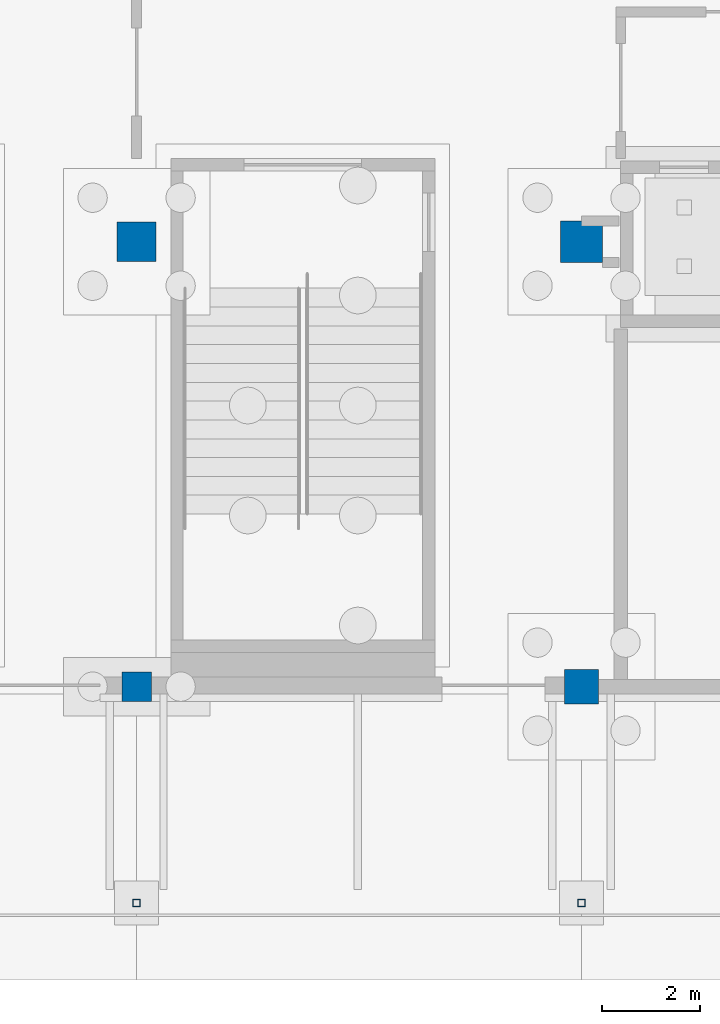
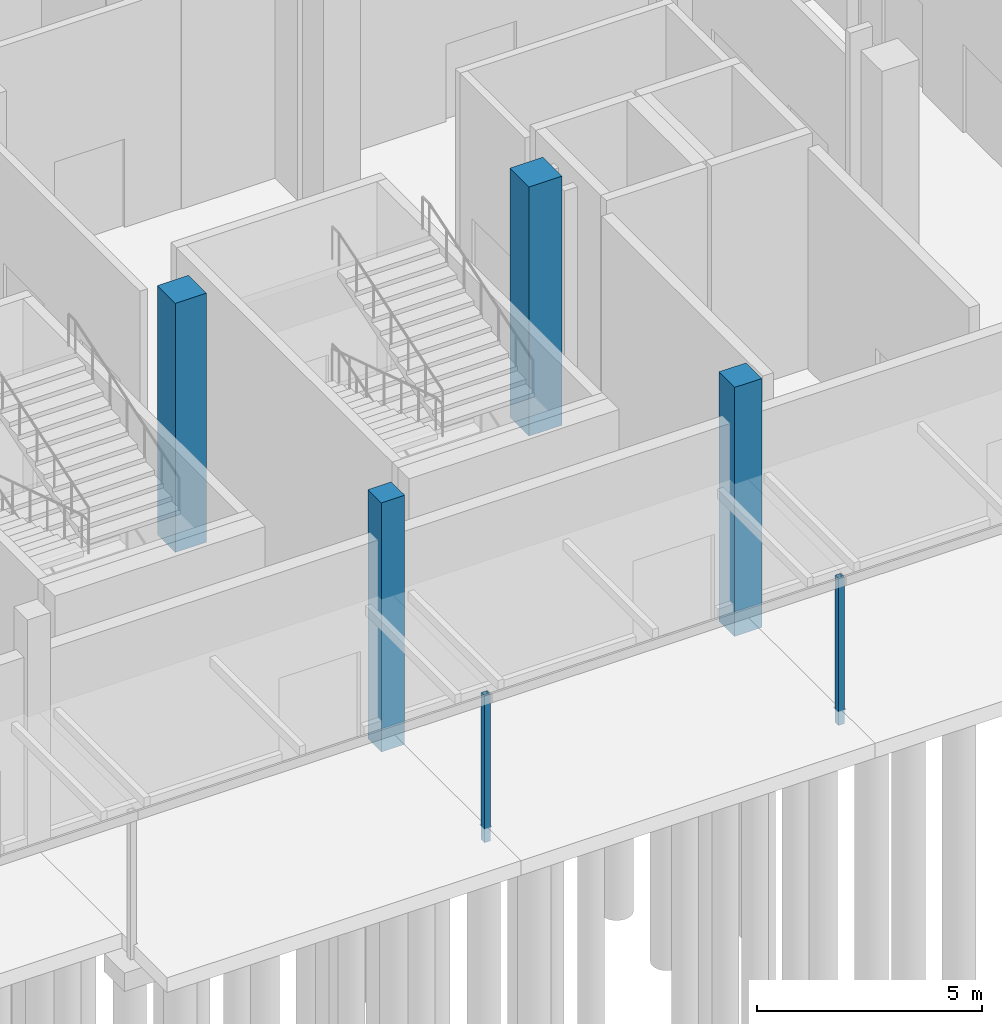
# One storey, part 8 of 129: 6 columns.
"""IFC4 building model written with IfcOpenShell, lengths in metres."""

from ifc_helpers import new_model, si_unit, direction, frame, origin, origin_2d, place, context, subcontext, project, spatial, rectangle, hollow_rectangle, extrude, material, material_profile, profile_set, type_object, element, save


model = new_model("IFC4")

# Units and contexts
model_context = context("Model", 3, precision=1e-05, world=origin(), true_north=direction((0.0, 1.0)))
body_context = subcontext(model_context, "Body", "Model", "MODEL_VIEW")
ifc_project = project(units=[si_unit("LENGTHUNIT", "METRE"), si_unit("AREAUNIT", "SQUARE_METRE"), si_unit("VOLUMEUNIT", "CUBIC_METRE"), si_unit("PLANEANGLEUNIT", "RADIAN"), si_unit("MASSUNIT", "GRAM", prefix="KILO")], contexts=[model_context])

# Site, building, storey
site_placement = place(None, origin())
site = spatial("IfcSite", under=ifc_project, at=site_placement, CompositionType="ELEMENT")
building_placement = place(site_placement, origin())
building = spatial("IfcBuilding", under=site, at=building_placement, Name="Shirokan Park Arena", CompositionType="ELEMENT")
storey_placement = place(building_placement, origin())
storey = spatial("IfcBuildingStorey", under=building, at=storey_placement, Name="L00", CompositionType="ELEMENT", Elevation=0.0)

# Columns
ifc_material_1 = material(Name="Concrete C35", Category="concrete")
ifc_material_profile_1 = material_profile(ifc_material_1, rectangle(XDim=0.60009765625, YDim=0.60009765625, at=origin_2d()), Name="600x600")
ifc_profile_set_1 = profile_set([ifc_material_profile_1], Name="Concrete C35")
column_type_1 = type_object("IfcColumnType", Name="RC column 600x600", PredefinedType="COLUMN", material=ifc_profile_set_1)
column_1_placement = place(storey_placement, frame((18.199951171875, 0.0, -0.39990234375), z_axis=(0.0, 0.0, 1.0), x_axis=(1.0, 0.0, 0.0)))
element("IfcColumn", 1, at=column_1_placement, inside=storey, type_object=column_type_1, Name="Column 3A L00", PredefinedType="COLUMN", context=body_context, shape_type="SweptSolid", body=[
    extrude(rectangle(XDim=0.60009765625, YDim=0.60009765625, at=origin_2d()), origin(), (0.0, 0.0, 1.0), 6.77001953125),
])
ifc_material_profile_2 = material_profile(ifc_material_1, rectangle(XDim=0.699951171875, YDim=0.699951171875, at=origin_2d()), Name="700x700")
ifc_profile_set_2 = profile_set([ifc_material_profile_2], Name="Concrete C35")
column_type_2 = type_object("IfcColumnType", Name="RC column 700x700", PredefinedType="COLUMN", material=ifc_profile_set_2)
column_2_placement = place(storey_placement, frame((27.300048828125, 0.0, -0.39990234375), z_axis=(0.0, 0.0, 1.0), x_axis=(1.0, 0.0, 0.0)))
element("IfcColumn", 2, at=column_2_placement, inside=storey, type_object=column_type_2, Name="Column 4A L00", PredefinedType="COLUMN", context=body_context, shape_type="SweptSolid", body=[
    extrude(rectangle(XDim=0.699951171875, YDim=0.699951171875, at=origin_2d()), origin(), (0.0, 0.0, 1.0), 6.77001953125),
])
ifc_material_profile_3 = material_profile(ifc_material_1, rectangle(XDim=0.800048828125, YDim=0.800048828125, at=origin_2d()), Name="800x800")
ifc_profile_set_3 = profile_set([ifc_material_profile_3], Name="Concrete C35")
column_type_3 = type_object("IfcColumnType", Name="RC column 800x800", PredefinedType="COLUMN", material=ifc_profile_set_3)
column_3_placement = place(storey_placement, frame((18.199951171875, 9.10009765625, -0.39990234375), z_axis=(0.0, 0.0, 1.0), x_axis=(1.0, 0.0, 0.0)))
element("IfcColumn", 3, at=column_3_placement, inside=storey, type_object=column_type_3, Name="Column 3B L00", PredefinedType="COLUMN", context=body_context, shape_type="SweptSolid", body=[
    extrude(rectangle(XDim=0.800048828125, YDim=0.800048828125, at=origin_2d()), origin(), (0.0, 0.0, 1.0), 6.77001953125),
])
ifc_material_profile_4 = material_profile(ifc_material_1, rectangle(XDim=0.85009765625, YDim=0.85009765625, at=origin_2d()), Name="850x850")
ifc_profile_set_4 = profile_set([ifc_material_profile_4], Name="Concrete C35")
column_type_4 = type_object("IfcColumnType", Name="RC column 850x850", PredefinedType="COLUMN", material=ifc_profile_set_4)
column_4_placement = place(storey_placement, frame((27.300048828125, 9.10009765625, -0.39990234375), z_axis=(0.0, 0.0, 1.0), x_axis=(1.0, 0.0, 0.0)))
element("IfcColumn", 4, at=column_4_placement, inside=storey, type_object=column_type_4, Name="Column 4B L00", PredefinedType="COLUMN", context=body_context, shape_type="SweptSolid", body=[
    extrude(rectangle(XDim=0.85009765625, YDim=0.85009765625, at=origin_2d()), origin(), (0.0, 0.0, 1.0), 6.77001953125),
])
ifc_material_2 = material(Name="Steel S355", Category="steel")
ifc_material_profile_5 = material_profile(ifc_material_2, hollow_rectangle(XDim=0.14990234375, YDim=0.14990234375, WallThickness=0.008056640625, at=origin_2d()), Name="RHS 150x150x8")
ifc_profile_set_5 = profile_set([ifc_material_profile_5], Name="Steel S355")
column_type_5 = type_object("IfcColumnType", Name="Steel post RHS 150x150x8", PredefinedType="COLUMN", material=ifc_profile_set_5)
for number, where, z_axis, x_axis, name in (
    (5, (18.199951171875, -4.425048828125, -0.39990234375), (0.0, 0.0, 1.0), (1.0, 0.0, 0.0), "Canopy post south grid 3"),
    (6, (27.300048828125, -4.425048828125, -0.39990234375), (0.0, 0.0, 1.0), (1.0, 0.0, 0.0), "Canopy post south grid 4"),
):
    element("IfcColumn", number, at=place(storey_placement, frame(where, z_axis=z_axis, x_axis=x_axis)), inside=storey, type_object=column_type_5, Name=name, PredefinedType="COLUMN", context=body_context, shape_type="SweptSolid", body=[
        extrude(hollow_rectangle(XDim=0.14990234375, YDim=0.14990234375, WallThickness=0.008056640625, at=origin_2d()), origin(), (0.0, 0.0, 1.0), 4.0),
    ])

save(model, "model.ifc")
